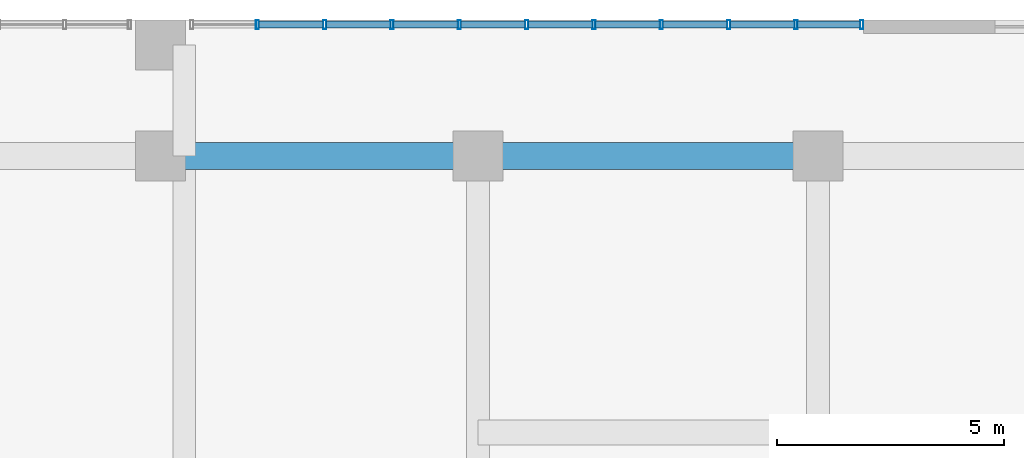
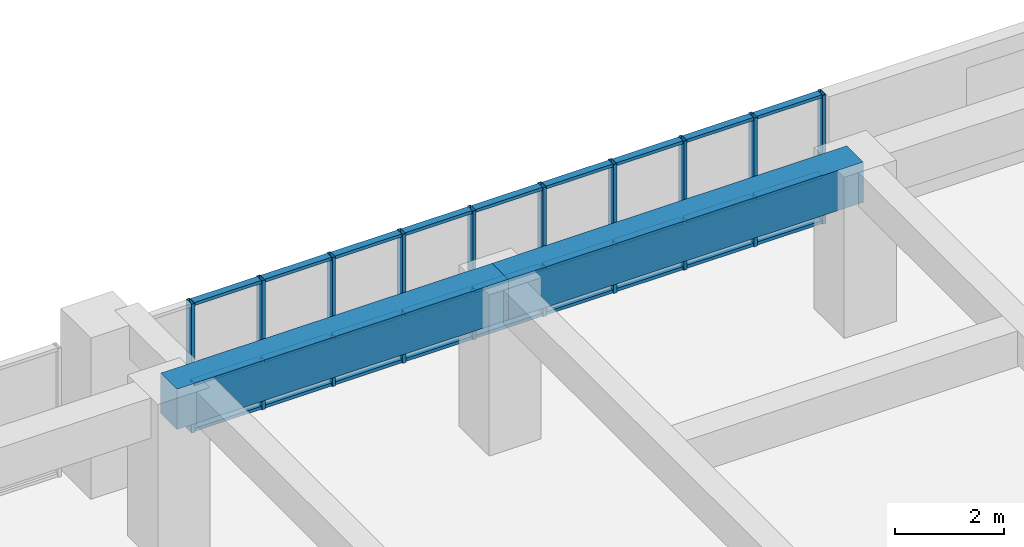
# One storey, part 11 of 27: 37 members, 2 beams, 1 element without a shape of its own.
"""IFC4 building model written with IfcOpenShell, lengths in metres."""

from ifc_helpers import new_model, si_unit, direction, frame, origin, origin_2d, place, context, subcontext, project, spatial, rectangle, hollow_rectangle, extrude, source, transform, mapped, material, layer, layer_set, material_profile, profile_set, type_object, element, aggregate, save


model = new_model("IFC4")

# Units and contexts
model_context = context("Model", 3, precision=1e-05, world=origin(), true_north=direction((0.0, 1.0)))
body_context = subcontext(model_context, "Body", "Model", "MODEL_VIEW")
ifc_project = project(units=[si_unit("LENGTHUNIT", "METRE"), si_unit("AREAUNIT", "SQUARE_METRE"), si_unit("VOLUMEUNIT", "CUBIC_METRE"), si_unit("PLANEANGLEUNIT", "RADIAN"), si_unit("MASSUNIT", "GRAM", prefix="KILO")], contexts=[model_context])

# Site, building, storey
site_placement = place(None, origin())
site = spatial("IfcSite", under=ifc_project, at=site_placement, CompositionType="ELEMENT")
building_placement = place(site_placement, origin())
building = spatial("IfcBuilding", under=site, at=building_placement, Name="Saelheon Loggia Tower", CompositionType="ELEMENT")
storey_placement = place(building_placement, frame((0.0, 0.0, 4.199951171875)))
storey = spatial("IfcBuildingStorey", under=building, at=storey_placement, Name="L01", CompositionType="ELEMENT", Elevation=4.199951171875)

# Beams
ifc_material_1 = material(Name="Concrete C50/60", Category="concrete")
ifc_material_profile_1 = material_profile(ifc_material_1, rectangle(XDim=0.60009765625, YDim=0.89990234375, at=origin_2d()), Name="RC-600x900")
ifc_profile_set_1 = profile_set([ifc_material_profile_1], Name="Concrete C50/60")
beam_type = type_object("IfcBeamType", Name="Beam_MainGirder_RC600x900", PredefinedType="BEAM", material=ifc_profile_set_1)
shared_shape_1 = source(origin(), body_context, "Body", "SweptSolid", [
    extrude(rectangle(XDim=0.60009765625, YDim=0.89990234375, at=origin_2d()), origin(), (0.0, 0.0, 1.0), 7.5),
])
beam_1_placement = place(storey_placement, frame((51.5, 51.0, 3.150146484375), z_axis=(1.0, 0.0, 0.0), x_axis=(0.0, 1.0, 0.0)))
element("IfcBeam", 1, at=beam_1_placement, inside=storey, type_object=beam_type, Name="BM-L01-EW-51-8", PredefinedType="BEAM", context=body_context, shape_type="MappedRepresentation", body=[
    mapped(shared_shape_1, transform((0.0, 0.0, 0.0), scale=1.0)),
])
shared_shape_2 = source(origin(), body_context, "Body", "SweptSolid", [
    extrude(rectangle(XDim=0.60009765625, YDim=0.89990234375, at=origin_2d()), origin(), (0.0, 0.0, 1.0), 7.0),
])
beam_2_placement = place(storey_placement, frame((44.5, 51.0, 3.150146484375), z_axis=(1.0, 0.0, 0.0), x_axis=(0.0, 1.0, 0.0)))
element("IfcBeam", 2, at=beam_2_placement, inside=storey, type_object=beam_type, Name="BM-L01-EW-51-7", PredefinedType="BEAM", context=body_context, shape_type="MappedRepresentation", body=[
    mapped(shared_shape_2, transform((0.0, 0.0, 0.0), scale=1.0)),
])

# Curtain wall, members
ifc_material_2 = material(Name="Aluminium 6063-T6 and Low-E IGU", Category="aluminium")
ifc_layer = layer(ifc_material_2, 0.179931640625)
ifc_layer_set = layer_set([ifc_layer], Name="Aluminium 6063-T6 and Low-E IGU")
curtain_wall_type = type_object("IfcCurtainWallType", Name="CW_PodiumClinic", PredefinedType="NOTDEFINED", material=ifc_layer_set)
curtain_wall_placement = place(storey_placement, origin())
curtain_wall = element("IfcCurtainWall", 3, at=curtain_wall_placement, inside=storey, type_object=curtain_wall_type, Name="L01 North Clinic Curtain Wall 3", PredefinedType="NOTDEFINED")
ifc_material_3 = material(Name="Anodised Aluminium 6063-T6", Category="aluminium")
ifc_material_profile_2 = material_profile(ifc_material_3, hollow_rectangle(XDim=0.070068359375, YDim=0.199951171875, WallThickness=0.0048828125, at=origin_2d()), Name="RHS-200x70x5")
ifc_profile_set_2 = profile_set([ifc_material_profile_2], Name="Anodised Aluminium 6063-T6")
member_type_1 = type_object("IfcMemberType", Name="CW_PodiumClinic_Mullion", PredefinedType="MULLION", material=ifc_profile_set_2)
shared_shape_3 = source(origin(), body_context, "Body", "SweptSolid", [
    extrude(hollow_rectangle(XDim=0.070068359375, YDim=0.199951171875, WallThickness=0.0048828125, at=origin_2d()), origin(), (0.0, 0.0, 1.0), 2.880126953125),
])
member_1_placement = place(storey_placement, frame((46.635009765625, 53.89990234375, 0.0), z_axis=(0.0, 0.0, 1.0), x_axis=(1.0, 0.0, 0.0)))
member_1 = element("IfcMember", 4, at=member_1_placement, type_object=member_type_1, Name="CW1 mullion 2", PredefinedType="MULLION", context=body_context, shape_type="MappedRepresentation", body=[
    mapped(shared_shape_3, transform((0.0, 0.0, 0.0), scale=1.0)),
])
member_2_placement = place(storey_placement, frame((48.1201171875, 53.89990234375, 0.0), z_axis=(0.0, 0.0, 1.0), x_axis=(1.0, 0.0, 0.0)))
member_2 = element("IfcMember", 5, at=member_2_placement, type_object=member_type_1, Name="CW1 mullion 3", PredefinedType="MULLION", context=body_context, shape_type="MappedRepresentation", body=[
    mapped(shared_shape_3, transform((0.0, 0.0, 0.0), scale=1.0)),
])
member_3_placement = place(storey_placement, frame((49.60498046875, 53.89990234375, 0.0), z_axis=(0.0, 0.0, 1.0), x_axis=(1.0, 0.0, 0.0)))
member_3 = element("IfcMember", 6, at=member_3_placement, type_object=member_type_1, Name="CW1 mullion 4", PredefinedType="MULLION", context=body_context, shape_type="MappedRepresentation", body=[
    mapped(shared_shape_3, transform((0.0, 0.0, 0.0), scale=1.0)),
])
member_4_placement = place(storey_placement, frame((51.090087890625, 53.89990234375, 0.0), z_axis=(0.0, 0.0, 1.0), x_axis=(1.0, 0.0, 0.0)))
member_4 = element("IfcMember", 7, at=member_4_placement, type_object=member_type_1, Name="CW1 mullion 5", PredefinedType="MULLION", context=body_context, shape_type="MappedRepresentation", body=[
    mapped(shared_shape_3, transform((0.0, 0.0, 0.0), scale=1.0)),
])
member_5_placement = place(storey_placement, frame((52.574951171875, 53.89990234375, 0.0), z_axis=(0.0, 0.0, 1.0), x_axis=(1.0, 0.0, 0.0)))
member_5 = element("IfcMember", 8, at=member_5_placement, type_object=member_type_1, Name="CW1 mullion 6", PredefinedType="MULLION", context=body_context, shape_type="MappedRepresentation", body=[
    mapped(shared_shape_3, transform((0.0, 0.0, 0.0), scale=1.0)),
])
member_6_placement = place(storey_placement, frame((54.06005859375, 53.89990234375, 0.0), z_axis=(0.0, 0.0, 1.0), x_axis=(1.0, 0.0, 0.0)))
member_6 = element("IfcMember", 9, at=member_6_placement, type_object=member_type_1, Name="CW1 mullion 7", PredefinedType="MULLION", context=body_context, shape_type="MappedRepresentation", body=[
    mapped(shared_shape_3, transform((0.0, 0.0, 0.0), scale=1.0)),
])
member_7_placement = place(storey_placement, frame((55.544921875, 53.89990234375, 0.0), z_axis=(0.0, 0.0, 1.0), x_axis=(1.0, 0.0, 0.0)))
member_7 = element("IfcMember", 10, at=member_7_placement, type_object=member_type_1, Name="CW1 mullion 8", PredefinedType="MULLION", context=body_context, shape_type="MappedRepresentation", body=[
    mapped(shared_shape_3, transform((0.0, 0.0, 0.0), scale=1.0)),
])
member_8_placement = place(storey_placement, frame((57.030029296875, 53.89990234375, 0.0), z_axis=(0.0, 0.0, 1.0), x_axis=(1.0, 0.0, 0.0)))
member_8 = element("IfcMember", 11, at=member_8_placement, type_object=member_type_1, Name="CW1 mullion 9", PredefinedType="MULLION", context=body_context, shape_type="MappedRepresentation", body=[
    mapped(shared_shape_3, transform((0.0, 0.0, 0.0), scale=1.0)),
])
member_9_placement = place(storey_placement, frame((58.514892578125, 53.89990234375, 0.0), z_axis=(0.0, 0.0, 1.0), x_axis=(1.0, 0.0, 0.0)))
member_9 = element("IfcMember", 12, at=member_9_placement, type_object=member_type_1, Name="CW1 mullion 10", PredefinedType="MULLION", context=body_context, shape_type="MappedRepresentation", body=[
    mapped(shared_shape_3, transform((0.0, 0.0, 0.0), scale=1.0)),
])
member_10_placement = place(storey_placement, frame((59.965087890625, 53.89990234375, 0.0), z_axis=(0.0, 0.0, 1.0), x_axis=(1.0, 0.0, 0.0)))
member_10 = element("IfcMember", 13, at=member_10_placement, type_object=member_type_1, Name="CW1 mullion 11", PredefinedType="MULLION", context=body_context, shape_type="MappedRepresentation", body=[
    mapped(shared_shape_3, transform((0.0, 0.0, 0.0), scale=1.0)),
])
ifc_material_profile_3 = material_profile(ifc_material_3, hollow_rectangle(XDim=0.070068359375, YDim=0.14990234375, WallThickness=0.0048828125, at=origin_2d()), Name="RHS-150x70x5")
ifc_profile_set_3 = profile_set([ifc_material_profile_3], Name="Anodised Aluminium 6063-T6")
member_type_2 = type_object("IfcMemberType", Name="CW_PodiumClinic_Transom", PredefinedType="USERDEFINED", material=ifc_profile_set_3)
shared_shape_4 = source(origin(), body_context, "Body", "SweptSolid", [
    extrude(hollow_rectangle(XDim=0.070068359375, YDim=0.14990234375, WallThickness=0.0048828125, at=origin_2d()), origin(), (0.0, 0.0, 1.0), 1.3798828125),
])
member_11_placement = place(storey_placement, frame((58.550048828125, 53.89990234375, 0.03515625), z_axis=(1.0, 0.0, 0.0), x_axis=(0.0, 0.0, 1.0)))
member_11 = element("IfcMember", 14, at=member_11_placement, type_object=member_type_2, Name="CW1 transom 10.1", ObjectType="TRANSOM", PredefinedType="USERDEFINED", context=body_context, shape_type="MappedRepresentation", body=[
    mapped(shared_shape_4, transform((0.0, 0.0, 0.0), scale=1.0)),
])
member_12_placement = place(storey_placement, frame((58.550048828125, 53.89990234375, 1.050048828125), z_axis=(1.0, 0.0, 0.0), x_axis=(0.0, 0.0, 1.0)))
member_12 = element("IfcMember", 15, at=member_12_placement, type_object=member_type_2, Name="CW1 transom 10.2", ObjectType="TRANSOM", PredefinedType="USERDEFINED", context=body_context, shape_type="MappedRepresentation", body=[
    mapped(shared_shape_4, transform((0.0, 0.0, 0.0), scale=1.0)),
])
member_13_placement = place(storey_placement, frame((58.550048828125, 53.89990234375, 2.844970703125), z_axis=(1.0, 0.0, 0.0), x_axis=(0.0, 0.0, 1.0)))
member_13 = element("IfcMember", 16, at=member_13_placement, type_object=member_type_2, Name="CW1 transom 10.3", ObjectType="TRANSOM", PredefinedType="USERDEFINED", context=body_context, shape_type="MappedRepresentation", body=[
    mapped(shared_shape_4, transform((0.0, 0.0, 0.0), scale=1.0)),
])
shared_shape_5 = source(origin(), body_context, "Body", "SweptSolid", [
    extrude(hollow_rectangle(XDim=0.070068359375, YDim=0.14990234375, WallThickness=0.0048828125, at=origin_2d()), origin(), (0.0, 0.0, 1.0), 1.4150390625),
])
member_14_placement = place(storey_placement, frame((46.669921875, 53.89990234375, 0.03515625), z_axis=(1.0, 0.0, 0.0), x_axis=(0.0, 0.0, 1.0)))
member_14 = element("IfcMember", 17, at=member_14_placement, type_object=member_type_2, Name="CW1 transom 2.1", ObjectType="TRANSOM", PredefinedType="USERDEFINED", context=body_context, shape_type="MappedRepresentation", body=[
    mapped(shared_shape_5, transform((0.0, 0.0, 0.0), scale=1.0)),
])
member_15_placement = place(storey_placement, frame((46.669921875, 53.89990234375, 1.050048828125), z_axis=(1.0, 0.0, 0.0), x_axis=(0.0, 0.0, 1.0)))
member_15 = element("IfcMember", 18, at=member_15_placement, type_object=member_type_2, Name="CW1 transom 2.2", ObjectType="TRANSOM", PredefinedType="USERDEFINED", context=body_context, shape_type="MappedRepresentation", body=[
    mapped(shared_shape_5, transform((0.0, 0.0, 0.0), scale=1.0)),
])
member_16_placement = place(storey_placement, frame((46.669921875, 53.89990234375, 2.844970703125), z_axis=(1.0, 0.0, 0.0), x_axis=(0.0, 0.0, 1.0)))
member_16 = element("IfcMember", 19, at=member_16_placement, type_object=member_type_2, Name="CW1 transom 2.3", ObjectType="TRANSOM", PredefinedType="USERDEFINED", context=body_context, shape_type="MappedRepresentation", body=[
    mapped(shared_shape_5, transform((0.0, 0.0, 0.0), scale=1.0)),
])
member_17_placement = place(storey_placement, frame((48.155029296875, 53.89990234375, 0.03515625), z_axis=(1.0, 0.0, 0.0), x_axis=(0.0, 0.0, 1.0)))
member_17 = element("IfcMember", 20, at=member_17_placement, type_object=member_type_2, Name="CW1 transom 3.1", ObjectType="TRANSOM", PredefinedType="USERDEFINED", context=body_context, shape_type="MappedRepresentation", body=[
    mapped(shared_shape_5, transform((0.0, 0.0, 0.0), scale=1.0)),
])
member_18_placement = place(storey_placement, frame((48.155029296875, 53.89990234375, 1.050048828125), z_axis=(1.0, 0.0, 0.0), x_axis=(0.0, 0.0, 1.0)))
member_18 = element("IfcMember", 21, at=member_18_placement, type_object=member_type_2, Name="CW1 transom 3.2", ObjectType="TRANSOM", PredefinedType="USERDEFINED", context=body_context, shape_type="MappedRepresentation", body=[
    mapped(shared_shape_5, transform((0.0, 0.0, 0.0), scale=1.0)),
])
member_19_placement = place(storey_placement, frame((48.155029296875, 53.89990234375, 2.844970703125), z_axis=(1.0, 0.0, 0.0), x_axis=(0.0, 0.0, 1.0)))
member_19 = element("IfcMember", 22, at=member_19_placement, type_object=member_type_2, Name="CW1 transom 3.3", ObjectType="TRANSOM", PredefinedType="USERDEFINED", context=body_context, shape_type="MappedRepresentation", body=[
    mapped(shared_shape_5, transform((0.0, 0.0, 0.0), scale=1.0)),
])
member_20_placement = place(storey_placement, frame((49.639892578125, 53.89990234375, 0.03515625), z_axis=(1.0, 0.0, 0.0), x_axis=(0.0, 0.0, 1.0)))
member_20 = element("IfcMember", 23, at=member_20_placement, type_object=member_type_2, Name="CW1 transom 4.1", ObjectType="TRANSOM", PredefinedType="USERDEFINED", context=body_context, shape_type="MappedRepresentation", body=[
    mapped(shared_shape_5, transform((0.0, 0.0, 0.0), scale=1.0)),
])
member_21_placement = place(storey_placement, frame((49.639892578125, 53.89990234375, 1.050048828125), z_axis=(1.0, 0.0, 0.0), x_axis=(0.0, 0.0, 1.0)))
member_21 = element("IfcMember", 24, at=member_21_placement, type_object=member_type_2, Name="CW1 transom 4.2", ObjectType="TRANSOM", PredefinedType="USERDEFINED", context=body_context, shape_type="MappedRepresentation", body=[
    mapped(shared_shape_5, transform((0.0, 0.0, 0.0), scale=1.0)),
])
member_22_placement = place(storey_placement, frame((49.639892578125, 53.89990234375, 2.844970703125), z_axis=(1.0, 0.0, 0.0), x_axis=(0.0, 0.0, 1.0)))
member_22 = element("IfcMember", 25, at=member_22_placement, type_object=member_type_2, Name="CW1 transom 4.3", ObjectType="TRANSOM", PredefinedType="USERDEFINED", context=body_context, shape_type="MappedRepresentation", body=[
    mapped(shared_shape_5, transform((0.0, 0.0, 0.0), scale=1.0)),
])
member_23_placement = place(storey_placement, frame((51.125, 53.89990234375, 0.03515625), z_axis=(1.0, 0.0, 0.0), x_axis=(0.0, 0.0, 1.0)))
member_23 = element("IfcMember", 26, at=member_23_placement, type_object=member_type_2, Name="CW1 transom 5.1", ObjectType="TRANSOM", PredefinedType="USERDEFINED", context=body_context, shape_type="MappedRepresentation", body=[
    mapped(shared_shape_5, transform((0.0, 0.0, 0.0), scale=1.0)),
])
member_24_placement = place(storey_placement, frame((51.125, 53.89990234375, 1.050048828125), z_axis=(1.0, 0.0, 0.0), x_axis=(0.0, 0.0, 1.0)))
member_24 = element("IfcMember", 27, at=member_24_placement, type_object=member_type_2, Name="CW1 transom 5.2", ObjectType="TRANSOM", PredefinedType="USERDEFINED", context=body_context, shape_type="MappedRepresentation", body=[
    mapped(shared_shape_5, transform((0.0, 0.0, 0.0), scale=1.0)),
])
member_25_placement = place(storey_placement, frame((51.125, 53.89990234375, 2.844970703125), z_axis=(1.0, 0.0, 0.0), x_axis=(0.0, 0.0, 1.0)))
member_25 = element("IfcMember", 28, at=member_25_placement, type_object=member_type_2, Name="CW1 transom 5.3", ObjectType="TRANSOM", PredefinedType="USERDEFINED", context=body_context, shape_type="MappedRepresentation", body=[
    mapped(shared_shape_5, transform((0.0, 0.0, 0.0), scale=1.0)),
])
member_26_placement = place(storey_placement, frame((54.094970703125, 53.89990234375, 0.03515625), z_axis=(1.0, 0.0, 0.0), x_axis=(0.0, 0.0, 1.0)))
member_26 = element("IfcMember", 29, at=member_26_placement, type_object=member_type_2, Name="CW1 transom 7.1", ObjectType="TRANSOM", PredefinedType="USERDEFINED", context=body_context, shape_type="MappedRepresentation", body=[
    mapped(shared_shape_5, transform((0.0, 0.0, 0.0), scale=1.0)),
])
member_27_placement = place(storey_placement, frame((54.094970703125, 53.89990234375, 1.050048828125), z_axis=(1.0, 0.0, 0.0), x_axis=(0.0, 0.0, 1.0)))
member_27 = element("IfcMember", 30, at=member_27_placement, type_object=member_type_2, Name="CW1 transom 7.2", ObjectType="TRANSOM", PredefinedType="USERDEFINED", context=body_context, shape_type="MappedRepresentation", body=[
    mapped(shared_shape_5, transform((0.0, 0.0, 0.0), scale=1.0)),
])
member_28_placement = place(storey_placement, frame((54.094970703125, 53.89990234375, 2.844970703125), z_axis=(1.0, 0.0, 0.0), x_axis=(0.0, 0.0, 1.0)))
member_28 = element("IfcMember", 31, at=member_28_placement, type_object=member_type_2, Name="CW1 transom 7.3", ObjectType="TRANSOM", PredefinedType="USERDEFINED", context=body_context, shape_type="MappedRepresentation", body=[
    mapped(shared_shape_5, transform((0.0, 0.0, 0.0), scale=1.0)),
])
member_29_placement = place(storey_placement, frame((55.580078125, 53.89990234375, 0.03515625), z_axis=(1.0, 0.0, 0.0), x_axis=(0.0, 0.0, 1.0)))
member_29 = element("IfcMember", 32, at=member_29_placement, type_object=member_type_2, Name="CW1 transom 8.1", ObjectType="TRANSOM", PredefinedType="USERDEFINED", context=body_context, shape_type="MappedRepresentation", body=[
    mapped(shared_shape_5, transform((0.0, 0.0, 0.0), scale=1.0)),
])
member_30_placement = place(storey_placement, frame((55.580078125, 53.89990234375, 1.050048828125), z_axis=(1.0, 0.0, 0.0), x_axis=(0.0, 0.0, 1.0)))
member_30 = element("IfcMember", 33, at=member_30_placement, type_object=member_type_2, Name="CW1 transom 8.2", ObjectType="TRANSOM", PredefinedType="USERDEFINED", context=body_context, shape_type="MappedRepresentation", body=[
    mapped(shared_shape_5, transform((0.0, 0.0, 0.0), scale=1.0)),
])
member_31_placement = place(storey_placement, frame((55.580078125, 53.89990234375, 2.844970703125), z_axis=(1.0, 0.0, 0.0), x_axis=(0.0, 0.0, 1.0)))
member_31 = element("IfcMember", 34, at=member_31_placement, type_object=member_type_2, Name="CW1 transom 8.3", ObjectType="TRANSOM", PredefinedType="USERDEFINED", context=body_context, shape_type="MappedRepresentation", body=[
    mapped(shared_shape_5, transform((0.0, 0.0, 0.0), scale=1.0)),
])
member_32_placement = place(storey_placement, frame((57.06494140625, 53.89990234375, 0.03515625), z_axis=(1.0, 0.0, 0.0), x_axis=(0.0, 0.0, 1.0)))
member_32 = element("IfcMember", 35, at=member_32_placement, type_object=member_type_2, Name="CW1 transom 9.1", ObjectType="TRANSOM", PredefinedType="USERDEFINED", context=body_context, shape_type="MappedRepresentation", body=[
    mapped(shared_shape_5, transform((0.0, 0.0, 0.0), scale=1.0)),
])
member_33_placement = place(storey_placement, frame((57.06494140625, 53.89990234375, 1.050048828125), z_axis=(1.0, 0.0, 0.0), x_axis=(0.0, 0.0, 1.0)))
member_33 = element("IfcMember", 36, at=member_33_placement, type_object=member_type_2, Name="CW1 transom 9.2", ObjectType="TRANSOM", PredefinedType="USERDEFINED", context=body_context, shape_type="MappedRepresentation", body=[
    mapped(shared_shape_5, transform((0.0, 0.0, 0.0), scale=1.0)),
])
member_34_placement = place(storey_placement, frame((57.06494140625, 53.89990234375, 2.844970703125), z_axis=(1.0, 0.0, 0.0), x_axis=(0.0, 0.0, 1.0)))
member_34 = element("IfcMember", 37, at=member_34_placement, type_object=member_type_2, Name="CW1 transom 9.3", ObjectType="TRANSOM", PredefinedType="USERDEFINED", context=body_context, shape_type="MappedRepresentation", body=[
    mapped(shared_shape_5, transform((0.0, 0.0, 0.0), scale=1.0)),
])
shared_shape_6 = source(origin(), body_context, "Body", "SweptSolid", [
    extrude(hollow_rectangle(XDim=0.070068359375, YDim=0.14990234375, WallThickness=0.0048828125, at=origin_2d()), origin(), (0.0, 0.0, 1.0), 1.414794921875),
])
member_35_placement = place(storey_placement, frame((52.610107421875, 53.89990234375, 0.03515625), z_axis=(1.0, 0.0, 0.0), x_axis=(0.0, 0.0, 1.0)))
member_35 = element("IfcMember", 38, at=member_35_placement, type_object=member_type_2, Name="CW1 transom 6.1", ObjectType="TRANSOM", PredefinedType="USERDEFINED", context=body_context, shape_type="MappedRepresentation", body=[
    mapped(shared_shape_6, transform((0.0, 0.0, 0.0), scale=1.0)),
])
member_36_placement = place(storey_placement, frame((52.610107421875, 53.89990234375, 1.050048828125), z_axis=(1.0, 0.0, 0.0), x_axis=(0.0, 0.0, 1.0)))
member_36 = element("IfcMember", 39, at=member_36_placement, type_object=member_type_2, Name="CW1 transom 6.2", ObjectType="TRANSOM", PredefinedType="USERDEFINED", context=body_context, shape_type="MappedRepresentation", body=[
    mapped(shared_shape_6, transform((0.0, 0.0, 0.0), scale=1.0)),
])
member_37_placement = place(storey_placement, frame((52.610107421875, 53.89990234375, 2.844970703125), z_axis=(1.0, 0.0, 0.0), x_axis=(0.0, 0.0, 1.0)))
member_37 = element("IfcMember", 40, at=member_37_placement, type_object=member_type_2, Name="CW1 transom 6.3", ObjectType="TRANSOM", PredefinedType="USERDEFINED", context=body_context, shape_type="MappedRepresentation", body=[
    mapped(shared_shape_6, transform((0.0, 0.0, 0.0), scale=1.0)),
])
aggregate(curtain_wall, [member_1, member_2, member_3, member_4, member_5, member_6, member_7, member_8, member_9, member_10, member_14, member_15, member_16, member_17, member_18, member_19, member_20, member_21, member_22, member_23, member_24, member_25, member_35, member_36, member_37, member_26, member_27, member_28, member_29, member_30, member_31, member_32, member_33, member_34, member_11, member_12, member_13])

save(model, "model.ifc")
